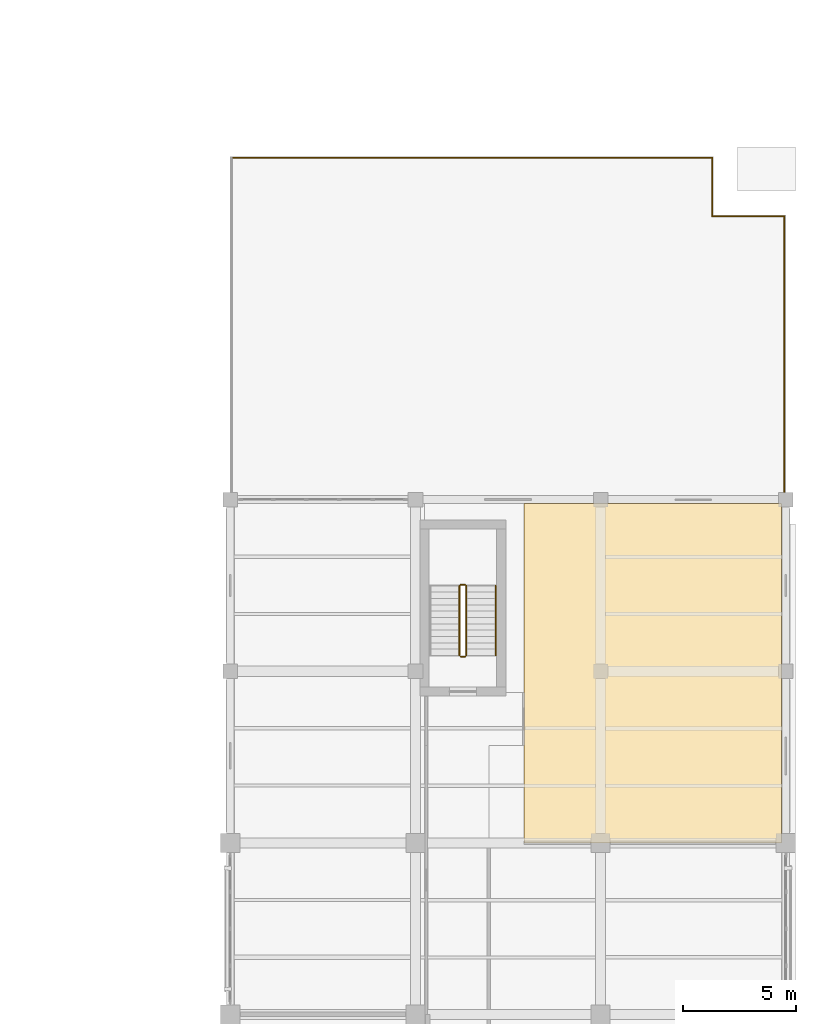
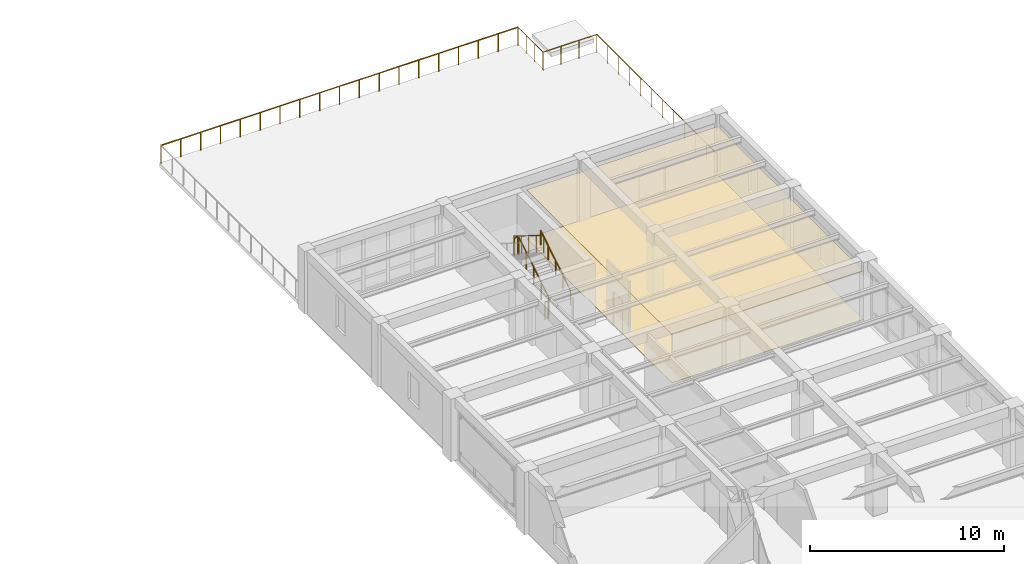
# One storey, part 22 of 22: 9 railings, 2 coverings.
"""IFC4 building model written with IfcOpenShell, lengths in metres."""

import ifcopenshell
import ifcopenshell.guid

model = None  # the IFC model being written
_history = None  # IfcOwnerHistory: only IFC2X3 demands one
_inside = {}  # id of a spatial element -> (the spatial element, [elements in it])
_under = {}  # id of a project, library or spatial element -> (it, [spatial elements below it])
_declared = {}  # id of a project -> (the project, [libraries it declares])
_typed = {}  # id of a type object -> (the type object, [elements of that type])
_made_of = {}  # id of a material, layer set ... -> (it, [elements and type objects made of it])


def new_model(schema):
    """Start an empty IFC model of exactly this schema.

    Asked for "IFC4X3", IfcOpenShell would pick the latest addendum, in which some entities
    have other attributes; the version numbers below select the first issue.
    IFC2X3 requires an IfcOwnerHistory on every rooted entity: one is made here for all.
    """
    global model, _history
    if schema == "IFC4X3":
        model = ifcopenshell.file(schema_version=(4, 3, 0, 0))
    else:
        model = ifcopenshell.file(schema=schema)
    _inside.clear()
    _under.clear()
    _declared.clear()
    _typed.clear()
    _made_of.clear()
    _history = None
    if model.schema == "IFC2X3":
        org = make("IfcOrganization", Name="unknown")
        user = make(
            "IfcPersonAndOrganization",
            ThePerson=make("IfcPerson", FamilyName="unknown"),
            TheOrganization=org,
        )
        app = make(
            "IfcApplication",
            ApplicationDeveloper=org,
            Version="unknown",
            ApplicationFullName="unknown",
            ApplicationIdentifier="unknown",
        )
        _history = make(
            "IfcOwnerHistory",
            OwningUser=user,
            OwningApplication=app,
            ChangeAction="ADDED",
            CreationDate=0,
        )
    return model


def make(cls, **values):
    """One entity of the class cls with the attributes given. An attribute that is None is left unset."""
    return model.create_entity(
        cls, **{name: value for name, value in values.items() if value is not None}
    )


def rooted(cls, **values):
    """An entity with a GlobalId (a new one), such as an element, a storey or a relation."""
    return make(cls, GlobalId=ifcopenshell.guid.new(), OwnerHistory=_history, **values)


def si_unit(unit_type, name, prefix=None):
    """IfcSIUnit, for example si_unit("LENGTHUNIT", "METRE", prefix="MILLI")."""
    return make("IfcSIUnit", UnitType=unit_type, Prefix=prefix, Name=name)


def assignment(units):
    """IfcUnitAssignment: the units of a project."""
    return None if units is None else make("IfcUnitAssignment", Units=units)


def point(xyz):
    """IfcCartesianPoint."""
    return None if xyz is None else make("IfcCartesianPoint", Coordinates=xyz)


def direction(xyz):
    """IfcDirection."""
    return None if xyz is None else make("IfcDirection", DirectionRatios=xyz)


def frame(location, z_axis=None, x_axis=None):
    """IfcAxis2Placement3D, a coordinate frame: its origin and axes. An axis left out is left unset."""
    return make(
        "IfcAxis2Placement3D",
        Location=point(location),
        Axis=direction(z_axis),
        RefDirection=direction(x_axis),
    )


def frame_2d(location, x_axis=None):
    """IfcAxis2Placement2D, a coordinate frame in the plane: its origin and x axis."""
    return make(
        "IfcAxis2Placement2D", Location=point(location), RefDirection=direction(x_axis)
    )


def origin():
    """The frame at (0, 0, 0) with its axes left unset."""
    return frame((0.0, 0.0, 0.0))


def origin_2d():
    """The frame at (0, 0) in the plane with its x axis left unset."""
    return frame_2d((0.0, 0.0))


def place(relative_to, where):
    """IfcLocalPlacement: puts the frame where relative to a parent placement (None: the world)."""
    return make(
        "IfcLocalPlacement", PlacementRelTo=relative_to, RelativePlacement=where
    )


def context(
    kind, dimensions, precision=None, world=None, true_north=None, identifier=None
):
    """IfcGeometricRepresentationContext, for example the 3D "Model" context."""
    return make(
        "IfcGeometricRepresentationContext",
        ContextIdentifier=identifier,
        ContextType=kind,
        CoordinateSpaceDimension=dimensions,
        Precision=precision,
        WorldCoordinateSystem=world,
        TrueNorth=true_north,
    )


def subcontext(parent, identifier, kind, view, scale=None):
    """IfcGeometricRepresentationSubContext, for example "Body" below "Model"."""
    return make(
        "IfcGeometricRepresentationSubContext",
        ContextIdentifier=identifier,
        ContextType=kind,
        ParentContext=parent,
        TargetScale=scale,
        TargetView=view,
    )


def project(units=None, contexts=None):
    """IfcProject with its units and contexts."""
    return rooted(
        "IfcProject",
        Name="project",
        RepresentationContexts=contexts,
        UnitsInContext=assignment(units),
    )


def spatial(cls, under=None, at=None, **own):
    """A site, building, storey or space (cls), placed at a placement, below another one or the project."""
    s = rooted(cls, ObjectPlacement=at, **own)
    if under is not None:
        _under.setdefault(under.id(), (under, []))[1].append(s)
    return s


def polyline(points):
    """IfcPolyline through the points."""
    return make("IfcPolyline", Points=[point(p) for p in points])


def profile(cls, at=None, kind="AREA", **sizes):
    """A parametric profile (cls). Its sizes go by their IFC names, for example OverallWidth=200.0."""
    return make(cls, ProfileType=kind, Position=at, **sizes)


def circle(**sizes):
    """IfcCircleProfileDef."""
    return profile("IfcCircleProfileDef", **sizes)


def outline(outer, holes=None, kind="AREA"):
    """IfcArbitraryClosedProfileDef: a profile drawn as a closed curve; with holes, ...WithVoids."""
    if holes is None:
        return make("IfcArbitraryClosedProfileDef", ProfileType=kind, OuterCurve=outer)
    return make(
        "IfcArbitraryProfileDefWithVoids",
        ProfileType=kind,
        OuterCurve=outer,
        InnerCurves=holes,
    )


def extrude(swept, where, along, depth):
    """IfcExtrudedAreaSolid: the profile swept, set in the frame where, extruded along a direction by depth."""
    return make(
        "IfcExtrudedAreaSolid",
        SweptArea=swept,
        Position=where,
        ExtrudedDirection=direction(along),
        Depth=depth,
    )


def shape(context_of_items, identifier, shape_type, items):
    """IfcShapeRepresentation: the items that make up one representation, for example the "Body"."""
    return make(
        "IfcShapeRepresentation",
        ContextOfItems=context_of_items,
        RepresentationIdentifier=identifier,
        RepresentationType=shape_type,
        Items=items,
    )


def material(Name=None, Category=None):
    """IfcMaterial."""
    return make("IfcMaterial", Name=Name, Category=Category)


def layer(
    of_material, thickness, ventilated=None, Name=None, Category=None, Priority=None
):
    """IfcMaterialLayer: one layer of a wall or slab, of a material (None: an air gap)."""
    return make(
        "IfcMaterialLayer",
        Material=of_material,
        LayerThickness=thickness,
        IsVentilated=ventilated,
        Name=Name,
        Category=Category,
        Priority=Priority,
    )


def layer_set(layers, Name=None):
    """IfcMaterialLayerSet."""
    return make("IfcMaterialLayerSet", MaterialLayers=layers, LayerSetName=Name)


def made_of(thing, what):
    """Note that an element or type object is made of a material, layer set ...; save() writes the relation."""
    if what is not None:
        _made_of.setdefault(what.id(), (what, []))[1].append(thing)
    return thing


def type_object(cls, material=None, **own):
    """A type object (cls), such as IfcWallType, which elements share."""
    return made_of(rooted(cls, **own), material)


def element(
    cls,
    number,
    at=None,
    inside=None,
    cuts=None,
    type_object=None,
    material=None,
    context=None,
    identifier="Body",
    shape_type=None,
    held_by="IfcProductDefinitionShape",
    body=None,
    shapes=None,
    **own,
):
    """One element of the class cls, such as IfcWall. Its Tag is "e" and its number.

    at: its placement. inside: the storey or other place that contains it. cuts: it is an
    opening in that element (IfcRelVoidsElement). A single representation is given by context,
    identifier, shape_type and body (its items); several are given by shapes. held_by: the class
    of the entity that holds the representations. save() writes the other relations.
    """
    e = rooted(cls, Tag="e%d" % number, ObjectPlacement=at, **own)
    if body is not None:
        shapes = [shape(context, identifier, shape_type, body)]
    if shapes is not None:
        e.Representation = make(held_by, Representations=shapes)
    if inside is not None:
        _inside.setdefault(inside.id(), (inside, []))[1].append(e)
    if cuts is not None:
        rooted(
            "IfcRelVoidsElement", RelatingBuildingElement=cuts, RelatedOpeningElement=e
        )
    if type_object is not None:
        _typed.setdefault(type_object.id(), (type_object, []))[1].append(e)
    return made_of(e, material)


def aggregate(whole, parts):
    """IfcRelAggregates: a whole, such as a stair, and the parts it consists of."""
    return rooted("IfcRelAggregates", RelatingObject=whole, RelatedObjects=parts)


def save(model, path):
    """Write the relations noted so far, then the file.

    IfcRelAggregates (storeys below a building ...), IfcRelContainedInSpatialStructure (elements
    in a storey), IfcRelDefinesByType, IfcRelAssociatesMaterial and IfcRelDeclares: one each for
    every whole, place, type object, material and project.
    """
    for whole, parts in _under.values():
        aggregate(whole, parts)
    for where, things in _inside.values():
        rooted(
            "IfcRelContainedInSpatialStructure",
            RelatedElements=things,
            RelatingStructure=where,
        )
    for kind, things in _typed.values():
        rooted("IfcRelDefinesByType", RelatedObjects=things, RelatingType=kind)
    for what, things in _made_of.values():
        rooted("IfcRelAssociatesMaterial", RelatedObjects=things, RelatingMaterial=what)
    for by, libraries in _declared.values():
        rooted("IfcRelDeclares", RelatingContext=by, RelatedDefinitions=libraries)
    model.write(path)


model = new_model("IFC4")

# Units and contexts
model_context = context("Model", 3, precision=1e-05, world=origin(), true_north=direction((0.0, 1.0)))
body_context = subcontext(model_context, "Body", "Model", "MODEL_VIEW")
ifc_project = project(units=[si_unit("LENGTHUNIT", "METRE"), si_unit("AREAUNIT", "SQUARE_METRE"), si_unit("VOLUMEUNIT", "CUBIC_METRE"), si_unit("PLANEANGLEUNIT", "RADIAN"), si_unit("MASSUNIT", "GRAM", prefix="KILO")], contexts=[model_context])

# Site, building, storey
site_placement = place(None, origin())
site = spatial("IfcSite", under=ifc_project, at=site_placement, CompositionType="ELEMENT")
building_placement = place(site_placement, origin())
building = spatial("IfcBuilding", under=site, at=building_placement, Name="Qandaris Square Conservatory and Botanical Centre", CompositionType="ELEMENT")
storey_placement = place(building_placement, frame((0.0, 0.0, 19.800048828125)))
storey = spatial("IfcBuildingStorey", under=building, at=storey_placement, Name="L04", CompositionType="ELEMENT", Elevation=19.800048828125)

# Coverings
ifc_material_1 = material(Name="Honed Qatari Limestone", Category="masonry")
ifc_layer_1 = layer(ifc_material_1, 0.030029296875)
ifc_layer_set_1 = layer_set([ifc_layer_1], Name="Honed Qatari Limestone")
covering_type_1 = type_object("IfcCoveringType", Name="Honed Qatari Limestone Concourse Paving", PredefinedType="FLOORING", material=ifc_layer_set_1)
covering_1_placement = place(storey_placement, origin())
element("IfcCovering", 1, at=covering_1_placement, inside=storey, type_object=covering_type_1, Name="Floor L04 Staff Write-Up Lounge Flooring", PredefinedType="FLOORING", context=body_context, shape_type="SweptSolid", body=[
    extrude(outline(polyline([(152.199951171875, 62.199951171875), (152.199951171875, 66.5), (152.199951171875, 68.85009765625), (152.199951171875, 77.219970703125), (163.6201171875, 77.219970703125), (163.6201171875, 62.199951171875), (152.199951171875, 62.199951171875)])), origin(), (0.0, 0.0, 1.0), 0.030029296875),
])
ifc_material_2 = material(Name="Engineered Oak Timber", Category="wood")
ifc_layer_2 = layer(ifc_material_2, 0.0400390625)
ifc_layer_set_2 = layer_set([ifc_layer_2], Name="Engineered Oak Timber")
covering_type_2 = type_object("IfcCoveringType", Name="Slatted Oak Acoustic Gallery Ceiling", PredefinedType="CEILING", material=ifc_layer_set_2)
covering_2_placement = place(storey_placement, frame((0.0, 0.0, 3.050048828125)))
element("IfcCovering", 2, at=covering_2_placement, inside=storey, type_object=covering_type_2, Name="Floor L04 Staff Write-Up Lounge Ceiling", PredefinedType="CEILING", context=body_context, shape_type="SweptSolid", body=[
    extrude(outline(polyline([(152.199951171875, 62.199951171875), (152.199951171875, 66.5), (152.199951171875, 68.85009765625), (152.199951171875, 77.219970703125), (163.6201171875, 77.219970703125), (163.6201171875, 62.199951171875), (152.199951171875, 62.199951171875)])), origin(), (0.0, 0.0, 1.0), 0.039794921875),
])

# Railings
ifc_material_3 = material(Name="Stainless Steel", Category="steel")
railing_type_1 = type_object("IfcRailingType", Name="Stair Tubular Handrail 920mm", PredefinedType="HANDRAIL", material=ifc_material_3)
railing_1_placement = place(storey_placement, frame((150.949951171875, 70.5, 0.349853515625)))
element("IfcRailing", 3, at=railing_1_placement, inside=storey, type_object=railing_type_1, Name="L04 ST-3 stair handrail 1", PredefinedType="HANDRAIL", context=body_context, shape_type="SweptSolid", body=[
    extrude(circle(Radius=0.02392578125, at=origin_2d()), frame((0.0, 0.0, 0.89599609375), z_axis=(0.0, 0.847998304005, 0.529998940003), x_axis=(-1.0, 0.0, 0.0)), (0.0, 0.0, 1.0), 3.632080078125),
    extrude(circle(Radius=0.02099609375, at=origin_2d()), origin(), (0.0, 0.0, 1.0), 0.871826171875),
    extrude(circle(Radius=0.02099609375, at=origin_2d()), frame((0.0, 0.77001953125, 0.481201171875)), (0.0, 0.0, 1.0), 0.871826171875),
    extrude(circle(Radius=0.02099609375, at=origin_2d()), frame((0.0, 1.5400390625, 0.96240234375)), (0.0, 0.0, 1.0), 0.871826171875),
    extrude(circle(Radius=0.02099609375, at=origin_2d()), frame((0.0, 2.31005859375, 1.44384765625)), (0.0, 0.0, 1.0), 0.871826171875),
    extrude(circle(Radius=0.02099609375, at=origin_2d()), frame((0.0, 3.080078125, 1.925048828125)), (0.0, 0.0, 1.0), 0.871826171875),
])
railing_type_2 = type_object("IfcRailingType", Name="Stairwell & Atrium Guardrail 1120mm", PredefinedType="GUARDRAIL", material=ifc_material_3)
railing_2_placement = place(storey_placement, frame((149.64990234375, 70.5, 0.175048828125)))
element("IfcRailing", 4, at=railing_2_placement, inside=storey, type_object=railing_type_2, Name="L04 ST-3 stair guard 1", PredefinedType="GUARDRAIL", context=body_context, shape_type="SweptSolid", body=[
    extrude(circle(Radius=0.02392578125, at=origin_2d()), frame((0.0, 0.0, 1.09619140625), z_axis=(0.0, 0.848028513186, 0.529950602248), x_axis=(-1.0, 0.0, 0.0)), (0.0, 0.0, 1.0), 3.632080078125),
    extrude(circle(Radius=0.02099609375, at=origin_2d()), origin(), (0.0, 0.0, 1.0), 1.072021484375),
    extrude(circle(Radius=0.02099609375, at=origin_2d()), frame((0.0, 0.77001953125, 0.481201171875)), (0.0, 0.0, 1.0), 1.072021484375),
    extrude(circle(Radius=0.02099609375, at=origin_2d()), frame((0.0, 1.5400390625, 0.96240234375)), (0.0, 0.0, 1.0), 1.072021484375),
    extrude(circle(Radius=0.02099609375, at=origin_2d()), frame((0.0, 2.31005859375, 1.443603515625)), (0.0, 0.0, 1.0), 1.072021484375),
    extrude(circle(Radius=0.02099609375, at=origin_2d()), frame((0.0, 3.080078125, 1.9248046875)), (0.0, 0.0, 1.0), 1.072021484375),
])
railing_3_placement = place(storey_placement, frame((149.60009765625, 73.6298828125, 2.099853515625)))
element("IfcRailing", 5, at=railing_3_placement, inside=storey, type_object=railing_type_2, Name="L04 ST-3 stair guard 2", PredefinedType="GUARDRAIL", context=body_context, shape_type="SweptSolid", body=[
    extrude(circle(Radius=0.02392578125, at=origin_2d()), frame((0.0, 0.0, 1.09619140625), z_axis=(-1.0, 0.0, 0.0), x_axis=(0.0, -1.0, 0.0)), (0.0, 0.0, 1.0), 0.2001953125),
    extrude(circle(Radius=0.02099609375, at=origin_2d()), origin(), (0.0, 0.0, 1.0), 1.072021484375),
    extrude(circle(Radius=0.02099609375, at=origin_2d()), frame((-0.2001953125, 0.0, 0.0)), (0.0, 0.0, 1.0), 1.072021484375),
])
railing_4_placement = place(storey_placement, frame((149.35009765625, 73.580078125, 2.27490234375)))
element("IfcRailing", 6, at=railing_4_placement, inside=storey, type_object=railing_type_2, Name="L04 ST-3 stair guard 3", PredefinedType="GUARDRAIL", context=body_context, shape_type="SweptSolid", body=[
    extrude(circle(Radius=0.02392578125, at=origin_2d()), frame((0.0, 0.0, 1.09619140625), z_axis=(0.0, -0.847998304005, 0.529998940003), x_axis=(1.0, 0.0, 0.0)), (0.0, 0.0, 1.0), 3.632080078125),
    extrude(circle(Radius=0.02099609375, at=origin_2d()), origin(), (0.0, 0.0, 1.0), 1.072021484375),
    extrude(circle(Radius=0.02099609375, at=origin_2d()), frame((0.0, -0.77001953125, 0.481201171875)), (0.0, 0.0, 1.0), 1.072021484375),
    extrude(circle(Radius=0.02099609375, at=origin_2d()), frame((0.0, -1.5400390625, 0.96240234375)), (0.0, 0.0, 1.0), 1.072021484375),
    extrude(circle(Radius=0.02099609375, at=origin_2d()), frame((0.0, -2.31005859375, 1.44384765625)), (0.0, 0.0, 1.0), 1.072021484375),
    extrude(circle(Radius=0.02099609375, at=origin_2d()), frame((0.0, -3.080078125, 1.925048828125)), (0.0, 0.0, 1.0), 1.072021484375),
])
railing_5_placement = place(storey_placement, frame((149.60009765625, 70.449951171875, 0.0)))
element("IfcRailing", 7, at=railing_5_placement, inside=storey, type_object=railing_type_2, Name="L04 ST-3 stair guard 4", PredefinedType="GUARDRAIL", context=body_context, shape_type="SweptSolid", body=[
    extrude(circle(Radius=0.02392578125, at=origin_2d()), frame((0.0, 0.0, 1.09619140625), z_axis=(-1.0, 0.0, 0.0), x_axis=(0.0, -1.0, 0.0)), (0.0, 0.0, 1.0), 0.2001953125),
    extrude(circle(Radius=0.02099609375, at=origin_2d()), origin(), (0.0, 0.0, 1.0), 1.072021484375),
    extrude(circle(Radius=0.02099609375, at=origin_2d()), frame((-0.2001953125, 0.0, 0.0)), (0.0, 0.0, 1.0), 1.072021484375),
])
ifc_material_4 = material(Name="Weathering Bronze Alloy", Category="metal")
railing_type_3 = type_object("IfcRailingType", Name="Terrace Perimeter Prairie Guardrail 1150mm", PredefinedType="GUARDRAIL", material=ifc_material_4)
railing_6_placement = place(storey_placement, frame((139.260009765625, 92.5400390625, 0.0)))
element("IfcRailing", 8, at=railing_6_placement, inside=storey, type_object=railing_type_3, Name="Herbarium Roof Botanical Terrace L04 Guardrail 3", PredefinedType="GUARDRAIL", context=body_context, shape_type="SweptSolid", body=[
    extrude(circle(Radius=0.02392578125, at=origin_2d()), frame((0.0, 0.0, 1.1259765625), z_axis=(1.0, 0.0, 0.0), x_axis=(0.0, 1.0, 0.0)), (0.0, 0.0, 1.0), 21.280029296875),
    extrude(circle(Radius=0.02099609375, at=origin_2d()), origin(), (0.0, 0.0, 1.0), 1.101806640625),
    extrude(circle(Radius=0.02099609375, at=origin_2d()), frame((1.18212890625, 0.0, 0.0)), (0.0, 0.0, 1.0), 1.101806640625),
    extrude(circle(Radius=0.02099609375, at=origin_2d()), frame((2.364501953125, 0.0, 0.0)), (0.0, 0.0, 1.0), 1.101806640625),
    extrude(circle(Radius=0.02099609375, at=origin_2d()), frame((3.546630859375, 0.0, 0.0)), (0.0, 0.0, 1.0), 1.101806640625),
    extrude(circle(Radius=0.02099609375, at=origin_2d()), frame((4.72900390625, 0.0, 0.0)), (0.0, 0.0, 1.0), 1.101806640625),
    extrude(circle(Radius=0.02099609375, at=origin_2d()), frame((5.9111328125, 0.0, 0.0)), (0.0, 0.0, 1.0), 1.101806640625),
    extrude(circle(Radius=0.02099609375, at=origin_2d()), frame((7.09326171875, 0.0, 0.0)), (0.0, 0.0, 1.0), 1.101806640625),
    extrude(circle(Radius=0.02099609375, at=origin_2d()), frame((8.275634765625, 0.0, 0.0)), (0.0, 0.0, 1.0), 1.101806640625),
    extrude(circle(Radius=0.02099609375, at=origin_2d()), frame((9.457763671875, 0.0, 0.0)), (0.0, 0.0, 1.0), 1.101806640625),
    extrude(circle(Radius=0.02099609375, at=origin_2d()), frame((10.64013671875, 0.0, 0.0)), (0.0, 0.0, 1.0), 1.101806640625),
    extrude(circle(Radius=0.02099609375, at=origin_2d()), frame((11.822265625, 0.0, 0.0)), (0.0, 0.0, 1.0), 1.101806640625),
    extrude(circle(Radius=0.02099609375, at=origin_2d()), frame((13.00439453125, 0.0, 0.0)), (0.0, 0.0, 1.0), 1.101806640625),
    extrude(circle(Radius=0.02099609375, at=origin_2d()), frame((14.186767578125, 0.0, 0.0)), (0.0, 0.0, 1.0), 1.101806640625),
    extrude(circle(Radius=0.02099609375, at=origin_2d()), frame((15.368896484375, 0.0, 0.0)), (0.0, 0.0, 1.0), 1.101806640625),
    extrude(circle(Radius=0.02099609375, at=origin_2d()), frame((16.551025390625, 0.0, 0.0)), (0.0, 0.0, 1.0), 1.101806640625),
    extrude(circle(Radius=0.02099609375, at=origin_2d()), frame((17.7333984375, 0.0, 0.0)), (0.0, 0.0, 1.0), 1.101806640625),
    extrude(circle(Radius=0.02099609375, at=origin_2d()), frame((18.91552734375, 0.0, 0.0)), (0.0, 0.0, 1.0), 1.101806640625),
    extrude(circle(Radius=0.02099609375, at=origin_2d()), frame((20.097900390625, 0.0, 0.0)), (0.0, 0.0, 1.0), 1.101806640625),
    extrude(circle(Radius=0.02099609375, at=origin_2d()), frame((21.280029296875, 0.0, 0.0)), (0.0, 0.0, 1.0), 1.101806640625),
])
railing_7_placement = place(storey_placement, frame((160.5400390625, 92.5400390625, 0.0)))
element("IfcRailing", 9, at=railing_7_placement, inside=storey, type_object=railing_type_3, Name="Herbarium Roof Botanical Terrace L04 Guardrail 4", PredefinedType="GUARDRAIL", context=body_context, shape_type="SweptSolid", body=[
    extrude(circle(Radius=0.02392578125, at=origin_2d()), frame((0.0, 0.0, 1.1259765625), z_axis=(0.0, -1.0, 0.0), x_axis=(1.0, 0.0, 0.0)), (0.0, 0.0, 1.0), 2.60009765625),
    extrude(circle(Radius=0.02099609375, at=origin_2d()), origin(), (0.0, 0.0, 1.0), 1.101806640625),
    extrude(circle(Radius=0.02099609375, at=origin_2d()), frame((0.0, -0.86669921875, 0.0)), (0.0, 0.0, 1.0), 1.101806640625),
    extrude(circle(Radius=0.02099609375, at=origin_2d()), frame((0.0, -1.7333984375, 0.0)), (0.0, 0.0, 1.0), 1.101806640625),
    extrude(circle(Radius=0.02099609375, at=origin_2d()), frame((0.0, -2.60009765625, 0.0)), (0.0, 0.0, 1.0), 1.101806640625),
])
railing_8_placement = place(storey_placement, frame((160.5400390625, 89.93994140625, 0.0)))
element("IfcRailing", 10, at=railing_8_placement, inside=storey, type_object=railing_type_3, Name="Herbarium Roof Botanical Terrace L04 Guardrail 5", PredefinedType="GUARDRAIL", context=body_context, shape_type="SweptSolid", body=[
    extrude(circle(Radius=0.02392578125, at=origin_2d()), frame((0.0, 0.0, 1.1259765625), z_axis=(1.0, 0.0, 0.0), x_axis=(0.0, 1.0, 0.0)), (0.0, 0.0, 1.0), 3.199951171875),
    extrude(circle(Radius=0.02099609375, at=origin_2d()), origin(), (0.0, 0.0, 1.0), 1.101806640625),
    extrude(circle(Radius=0.02099609375, at=origin_2d()), frame((1.066650390625, 0.0, 0.0)), (0.0, 0.0, 1.0), 1.101806640625),
    extrude(circle(Radius=0.02099609375, at=origin_2d()), frame((2.13330078125, 0.0, 0.0)), (0.0, 0.0, 1.0), 1.101806640625),
    extrude(circle(Radius=0.02099609375, at=origin_2d()), frame((3.199951171875, 0.0, 0.0)), (0.0, 0.0, 1.0), 1.101806640625),
])
railing_9_placement = place(storey_placement, frame((163.739990234375, 89.93994140625, 0.0)))
element("IfcRailing", 11, at=railing_9_placement, inside=storey, type_object=railing_type_3, Name="Herbarium Roof Botanical Terrace L04 Guardrail 6", PredefinedType="GUARDRAIL", context=body_context, shape_type="SweptSolid", body=[
    extrude(circle(Radius=0.02392578125, at=origin_2d()), frame((0.0, 0.0, 1.1259765625), z_axis=(0.0, -1.0, 0.0), x_axis=(1.0, 0.0, 0.0)), (0.0, 0.0, 1.0), 12.47998046875),
    extrude(circle(Radius=0.02099609375, at=origin_2d()), origin(), (0.0, 0.0, 1.0), 1.101806640625),
    extrude(circle(Radius=0.02099609375, at=origin_2d()), frame((0.0, -1.134521484375, 0.0)), (0.0, 0.0, 1.0), 1.101806640625),
    extrude(circle(Radius=0.02099609375, at=origin_2d()), frame((0.0, -2.26904296875, 0.0)), (0.0, 0.0, 1.0), 1.101806640625),
    extrude(circle(Radius=0.02099609375, at=origin_2d()), frame((0.0, -3.403564453125, 0.0)), (0.0, 0.0, 1.0), 1.101806640625),
    extrude(circle(Radius=0.02099609375, at=origin_2d()), frame((0.0, -4.5380859375, 0.0)), (0.0, 0.0, 1.0), 1.101806640625),
    extrude(circle(Radius=0.02099609375, at=origin_2d()), frame((0.0, -5.672607421875, 0.0)), (0.0, 0.0, 1.0), 1.101806640625),
    extrude(circle(Radius=0.02099609375, at=origin_2d()), frame((0.0, -6.807373046875, 0.0)), (0.0, 0.0, 1.0), 1.101806640625),
    extrude(circle(Radius=0.02099609375, at=origin_2d()), frame((0.0, -7.94189453125, 0.0)), (0.0, 0.0, 1.0), 1.101806640625),
    extrude(circle(Radius=0.02099609375, at=origin_2d()), frame((0.0, -9.076416015625, 0.0)), (0.0, 0.0, 1.0), 1.101806640625),
    extrude(circle(Radius=0.02099609375, at=origin_2d()), frame((0.0, -10.2109375, 0.0)), (0.0, 0.0, 1.0), 1.101806640625),
    extrude(circle(Radius=0.02099609375, at=origin_2d()), frame((0.0, -11.345458984375, 0.0)), (0.0, 0.0, 1.0), 1.101806640625),
    extrude(circle(Radius=0.02099609375, at=origin_2d()), frame((0.0, -12.47998046875, 0.0)), (0.0, 0.0, 1.0), 1.101806640625),
])

save(model, "model.ifc")
